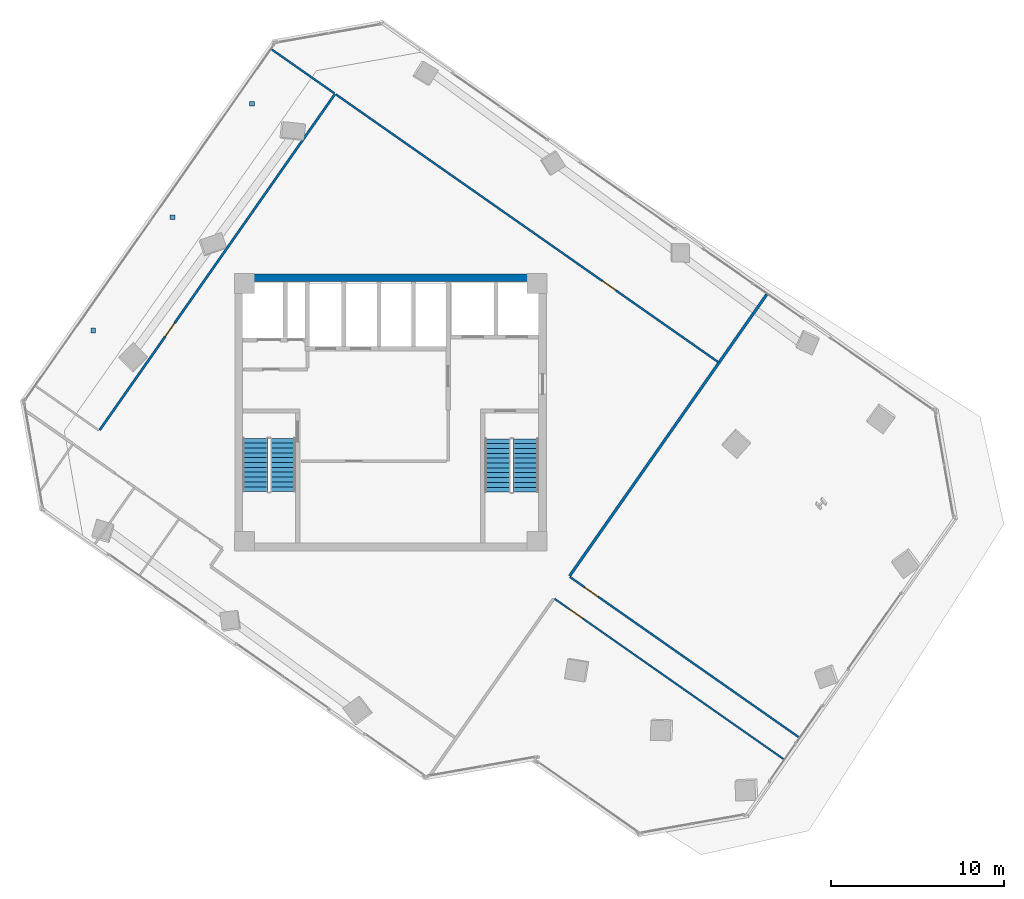
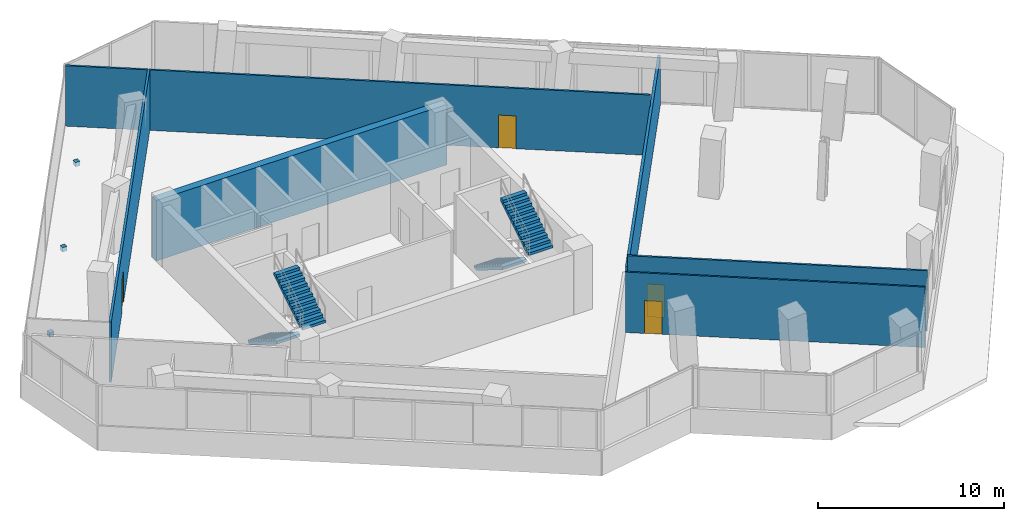
# One storey, part 19 of 22: 7 walls, 4 doors, 4 stair flights, 3 discrete accessories, 4 openings, 2 elements without a shape of their own.
"""IFC4 building model written with IfcOpenShell, lengths in metres."""

from ifc_helpers import new_model, si_unit, direction, frame, frame_2d, origin, origin_2d, place, context, subcontext, project, spatial, polyline, rectangle, outline, extrude, source, transform, mapped, material, layer, layer_set, type_object, element, fill, aggregate, save


model = new_model("IFC4")

# Units and contexts
model_context = context("Model", 3, precision=1e-05, world=origin(), true_north=direction((0.0, 1.0)))
body_context = subcontext(model_context, "Body", "Model", "MODEL_VIEW")
ifc_project = project(units=[si_unit("LENGTHUNIT", "METRE"), si_unit("AREAUNIT", "SQUARE_METRE"), si_unit("VOLUMEUNIT", "CUBIC_METRE"), si_unit("PLANEANGLEUNIT", "RADIAN"), si_unit("MASSUNIT", "GRAM", prefix="KILO")], contexts=[model_context])

# Site, building, storey
site_placement = place(None, origin())
site = spatial("IfcSite", under=ifc_project, at=site_placement, CompositionType="ELEMENT")
building_placement = place(site_placement, origin())
building = spatial("IfcBuilding", under=site, at=building_placement, Name="Torre Montelarca", CompositionType="ELEMENT")
storey_placement = place(building_placement, frame((0.0, 0.0, 196.0)))
storey = spatial("IfcBuildingStorey", under=building, at=storey_placement, Name="L44", CompositionType="ELEMENT", Elevation=196.0)

# Walls
ifc_material_1 = material(Name="Concrete C55/67", Category="concrete")
ifc_layer_1 = layer(ifc_material_1, 0.449951171875, Name="Concrete C55/67", Category="concrete")
ifc_layer_set_1 = layer_set([ifc_layer_1], Name="Concrete C55/67")
wall_type_1 = type_object("IfcWallType", Name="CW-SHEAR-450", PredefinedType="SHEAR", material=ifc_layer_set_1)
wall_1_placement = place(storey_placement, frame((9.0, 39.77490234375, 0.0), z_axis=(0.0, 0.0, 1.0), x_axis=(1.0, 0.0, 0.0)))
element("IfcWall", 1, at=wall_1_placement, inside=storey, type_object=wall_type_1, Name="L44 Core Shear Wall CW-N1", PredefinedType="SHEAR", context=body_context, shape_type="SweptSolid", body=[
    extrude(rectangle(XDim=18.0, YDim=0.449951171875, at=frame_2d((9.0, 0.0))), origin(), (0.0, 0.0, 1.0), 3.9599609375),
])
ifc_material_2 = material(Name="Gypsum plasterboard on steel stud", Category="steel")
ifc_layer_2 = layer(ifc_material_2, 0.159912109375, Name="Gypsum plasterboard on steel stud", Category="steel")
ifc_layer_set_2 = layer_set([ifc_layer_2], Name="Gypsum plasterboard on steel stud")
wall_type_2 = type_object("IfcWallType", Name="PW-FIRE-160", PredefinedType="PARTITIONING", material=ifc_layer_set_2)
wall_2_placement = place(storey_placement, frame((28.3359375, 22.550048828125, 0.0), z_axis=(0.0, 0.0, 1.0), x_axis=(0.573581263398, 0.819148664333, 0.0)))
element("IfcWall", 2, at=wall_2_placement, inside=storey, type_object=wall_type_2, Name="L44 Interior Partition W-L44-ECN", PredefinedType="PARTITIONING", context=body_context, shape_type="SweptSolid", body=[
    extrude(rectangle(XDim=19.840087890625, YDim=0.159912109375, at=frame_2d((9.919921875, 0.0))), origin(), (0.0, 0.0, 1.0), 3.195068359375),
])

# Wall, opening, door
ifc_material_3 = material(Name="Acoustic laminated glass partition", Category="glass")
ifc_layer_3 = layer(ifc_material_3, 0.10009765625, Name="Acoustic laminated glass partition", Category="glass")
ifc_layer_set_3 = layer_set([ifc_layer_3], Name="Acoustic laminated glass partition")
wall_type_3 = type_object("IfcWallType", Name="PW-GLAZ-100", PredefinedType="PARTITIONING", material=ifc_layer_set_3)
wall_3_placement = place(storey_placement, frame((27.46240234375, 21.23291015625, 0.0), z_axis=(0.0, 0.0, 1.0), x_axis=(0.819151710168, -0.573576913525, 0.0)))
wall_3 = element("IfcWall", 3, at=wall_3_placement, inside=storey, type_object=wall_type_3, Name="L44 Interior Partition W-L44-SE-N", PredefinedType="PARTITIONING", context=body_context, shape_type="SweptSolid", body=[
    extrude(rectangle(XDim=16.16015625, YDim=0.10009765625, at=frame_2d((8.080078125, 0.0))), origin(), (0.0, 0.0, 1.0), 3.9599609375),
])
opening_1_placement = place(wall_3_placement, frame((1.050048828125, 0.0, 0.0)))
opening_1 = element("IfcOpeningElement", 4, at=opening_1_placement, cuts=wall_3, Name="Opening ID-095", PredefinedType="OPENING", context=body_context, shape_type="SweptSolid", body=[
    extrude(rectangle(XDim=0.949951171875, YDim=2.14990234375, at=frame_2d((0.47509765625, 1.074951171875))), frame((0.0, 0.06005859375, 0.0), z_axis=(0.0, -1.0, 0.0), x_axis=(1.0, 0.0, 0.0)), (0.0, 0.0, 1.0), 0.1201171875),
])
ifc_material_4 = material(Name="Hardwood acoustic timber veneer", Category="wood")
door_type = type_object("IfcDoorType", Name="DR-INT-095", OperationType="NOTDEFINED", PredefinedType="DOOR", material=ifc_material_4)
shared_shape_1 = source(origin(), body_context, "Body", "SweptSolid", [
    extrude(rectangle(XDim=0.949951171875, YDim=2.14990234375, at=frame_2d((0.47509765625, 1.074951171875))), frame((0.0, 0.02490234375, 0.0), z_axis=(0.0, -1.0, 0.0), x_axis=(1.0, 0.0, 0.0)), (0.0, 0.0, 1.0), 0.050048828125),
])
door_1_placement = place(opening_1_placement, origin())
door_1 = element("IfcDoor", 5, at=door_1_placement, inside=storey, type_object=door_type, Name="L44 Interior Door 09", OperationType="SINGLE_SWING_LEFT", OverallHeight=2.14990234375, OverallWidth=0.949951171875, PredefinedType="DOOR", context=body_context, shape_type="MappedRepresentation", body=[
    mapped(shared_shape_1, transform((0.0, 0.0, 0.0), scale=1.0)),
])
fill(opening_1, door_1)

ifc_layer_4 = layer(ifc_material_2, 0.114990234375, Name="Gypsum plasterboard on steel stud", Category="steel")
ifc_layer_set_4 = layer_set([ifc_layer_4], Name="Gypsum plasterboard on steel stud")
wall_type_4 = type_object("IfcWallType", Name="PW-PART-115", PredefinedType="PARTITIONING", material=ifc_layer_set_4)
wall_4_placement = place(storey_placement, frame((14.82080078125, 50.373779296875, 0.0), z_axis=(0.0, 0.0, 1.0), x_axis=(0.819153719849, -0.573574043396, 0.0)))
wall_4 = element("IfcWall", 6, at=wall_4_placement, inside=storey, type_object=wall_type_4, Name="L44 Interior Partition W-L44-NBOT", PredefinedType="PARTITIONING", context=body_context, shape_type="SweptSolid", body=[
    extrude(rectangle(XDim=26.989990234375, YDim=0.114990234375, at=frame_2d((13.4951171875, 0.0))), origin(), (0.0, 0.0, 1.0), 3.9599609375),
])
opening_2_placement = place(wall_4_placement, frame((18.800048828125, 0.0, 0.0)))
opening_2 = element("IfcOpeningElement", 7, at=opening_2_placement, cuts=wall_4, Name="Opening ID-095", PredefinedType="OPENING", context=body_context, shape_type="SweptSolid", body=[
    extrude(rectangle(XDim=0.949951171875, YDim=2.14990234375, at=frame_2d((0.47509765625, 1.074951171875))), frame((0.0, 0.0673828125, 0.0), z_axis=(0.0, -1.0, 0.0), x_axis=(1.0, 0.0, 0.0)), (0.0, 0.0, 1.0), 0.135009765625),
])
door_2_placement = place(opening_2_placement, origin())
door_2 = element("IfcDoor", 8, at=door_2_placement, inside=storey, type_object=door_type, Name="L44 Interior Door 06", OperationType="SINGLE_SWING_LEFT", OverallHeight=2.14990234375, OverallWidth=0.949951171875, PredefinedType="DOOR", context=body_context, shape_type="MappedRepresentation", body=[
    mapped(shared_shape_1, transform((0.0, 0.0, 0.0), scale=1.0)),
])
fill(opening_2, door_2)

# Wall
wall_5_placement = place(storey_placement, frame((11.126708984375, 52.960693359375, 0.0), z_axis=(0.0, 0.0, 1.0), x_axis=(0.819130930641, -0.573606588584, 0.0)))
element("IfcWall", 9, at=wall_5_placement, inside=storey, type_object=wall_type_4, Name="L44 Interior Partition W-L44-WWGN", PredefinedType="PARTITIONING", context=body_context, shape_type="SweptSolid", body=[
    extrude(rectangle(XDim=4.429931640625, YDim=0.114990234375, at=frame_2d((2.21484375, 0.0))), origin(), (0.0, 0.0, 1.0), 3.9599609375),
])

# Wall, opening, door
wall_6_placement = place(storey_placement, frame((28.345947265625, 22.494384765625, 0.0), z_axis=(0.0, 0.0, 1.0), x_axis=(0.819146739804, -0.573584011866, 0.0)))
wall_6 = element("IfcWall", 10, at=wall_6_placement, inside=storey, type_object=wall_type_4, Name="L44 Interior Partition W-L44-NE-S", PredefinedType="PARTITIONING", context=body_context, shape_type="SweptSolid", body=[
    extrude(rectangle(XDim=16.159912109375, YDim=0.114990234375, at=frame_2d((8.080078125, 0.0))), origin(), (0.0, 0.0, 1.0), 3.9599609375),
])
opening_3_placement = place(wall_6_placement, frame((1.050048828125, 0.0, 0.0)))
opening_3 = element("IfcOpeningElement", 11, at=opening_3_placement, cuts=wall_6, Name="Opening ID-095", PredefinedType="OPENING", context=body_context, shape_type="SweptSolid", body=[
    extrude(rectangle(XDim=0.949951171875, YDim=2.14990234375, at=frame_2d((0.47509765625, 1.074951171875))), frame((0.0, 0.0673828125, 0.0), z_axis=(0.0, -1.0, 0.0), x_axis=(1.0, 0.0, 0.0)), (0.0, 0.0, 1.0), 0.135009765625),
])
door_3_placement = place(opening_3_placement, origin())
door_3 = element("IfcDoor", 12, at=door_3_placement, inside=storey, type_object=door_type, Name="L44 Interior Door 08", OperationType="SINGLE_SWING_LEFT", OverallHeight=2.14990234375, OverallWidth=0.949951171875, PredefinedType="DOOR", context=body_context, shape_type="MappedRepresentation", body=[
    mapped(shared_shape_1, transform((0.0, 0.0, 0.0), scale=1.0)),
])
fill(opening_3, door_3)

ifc_layer_5 = layer(ifc_material_2, 0.135009765625, Name="Gypsum plasterboard on steel stud", Category="steel")
ifc_layer_set_5 = layer_set([ifc_layer_5], Name="Gypsum plasterboard on steel stud")
wall_type_5 = type_object("IfcWallType", Name="PW-PART-135", PredefinedType="PARTITIONING", material=ifc_layer_set_5)
wall_7_placement = place(storey_placement, frame((1.188720703125, 30.974609375, 0.0), z_axis=(0.0, 0.0, 1.0), x_axis=(0.573571020786, 0.819155836282, 0.0)))
wall_7 = element("IfcWall", 13, at=wall_7_placement, inside=storey, type_object=wall_type_5, Name="L44 Interior Partition W-L44-WWGE", PredefinedType="PARTITIONING", context=body_context, shape_type="SweptSolid", body=[
    extrude(rectangle(XDim=23.669921875, YDim=0.135009765625, at=frame_2d((11.8349609375, 0.0))), origin(), (0.0, 0.0, 1.0), 3.9599609375),
])
opening_4_placement = place(wall_7_placement, frame((6.60009765625, 0.0, 0.0)))
opening_4 = element("IfcOpeningElement", 14, at=opening_4_placement, cuts=wall_7, Name="Opening ID-095", PredefinedType="OPENING", context=body_context, shape_type="SweptSolid", body=[
    extrude(rectangle(XDim=0.949951171875, YDim=2.14990234375, at=frame_2d((0.47509765625, 1.074951171875))), frame((0.0, 0.07763671875, 0.0), z_axis=(0.0, -1.0, 0.0), x_axis=(1.0, 0.0, 0.0)), (0.0, 0.0, 1.0), 0.155029296875),
])
door_4_placement = place(opening_4_placement, origin())
door_4 = element("IfcDoor", 15, at=door_4_placement, inside=storey, type_object=door_type, Name="L44 Interior Door 07", OperationType="SINGLE_SWING_LEFT", OverallHeight=2.14990234375, OverallWidth=0.949951171875, PredefinedType="DOOR", context=body_context, shape_type="MappedRepresentation", body=[
    mapped(shared_shape_1, transform((0.0, 0.0, 0.0), scale=1.0)),
])
fill(opening_4, door_4)

# Stair, stair flights
ifc_material_5 = material(Name="Concrete C40/50", Category="concrete")
stair_type_1 = type_object("IfcStairType", Name="ST-CORE-ST1", PredefinedType="HALF_TURN_STAIR", material=ifc_material_5)
stair_1_placement = place(storey_placement, origin())
stair_1 = element("IfcStair", 16, at=stair_1_placement, inside=storey, type_object=stair_type_1, Name="L44 Protected Exit Stair ST1", PredefinedType="HALF_TURN_STAIR")
stair_flight_type_1 = type_object("IfcStairFlightType", Name="SFL-CORE-ST1", PredefinedType="STRAIGHT", material=ifc_material_5)
stair_flight_1_placement = place(storey_placement, frame((10.175048828125, 30.5, 0.0), z_axis=(0.0, 0.0, 1.0), x_axis=(0.0, -1.0, 0.0)))
stair_flight_1 = element("IfcStairFlight", 17, at=stair_flight_1_placement, type_object=stair_flight_type_1, Name="ST1 flight 1", NumberOfRisers=12, NumberOfTreads=11, PredefinedType="STRAIGHT", RiserHeight=0.175, TreadLength=0.28, context=body_context, shape_type="SweptSolid", body=[
    extrude(outline(polyline([(0.0, 0.0), (0.0, 0.175048828125), (0.280029296875, 0.175048828125), (0.280029296875, 0.35009765625), (0.56005859375, 0.35009765625), (0.56005859375, 0.52490234375), (0.840087890625, 0.52490234375), (0.840087890625, 0.699951171875), (1.1201171875, 0.699951171875), (1.1201171875, 0.875), (1.39990234375, 0.875), (1.39990234375, 1.050048828125), (1.679931640625, 1.050048828125), (1.679931640625, 1.22509765625), (1.9599609375, 1.22509765625), (1.9599609375, 1.39990234375), (2.239990234375, 1.39990234375), (2.239990234375, 1.574951171875), (2.52001953125, 1.574951171875), (2.52001953125, 1.75), (2.800048828125, 1.75), (2.800048828125, 1.925048828125), (3.080078125, 1.925048828125), (3.080078125, 2.10009765625), (3.080078125, 1.748291015625), (0.28271484375, 0.0), (0.0, 0.0)])), frame((0.0, 0.72509765625, 0.0), z_axis=(0.0, -1.0, 0.0), x_axis=(1.0, 0.0, 0.0)), (0.0, 0.0, 1.0), 1.449951171875),
])
stair_flight_2_placement = place(storey_placement, frame((11.77490234375, 27.419921875, 2.10009765625), z_axis=(0.0, 0.0, 1.0), x_axis=(0.0, 1.0, 0.0)))
stair_flight_2 = element("IfcStairFlight", 18, at=stair_flight_2_placement, type_object=stair_flight_type_1, Name="ST1 flight 2", NumberOfRisers=12, NumberOfTreads=11, PredefinedType="STRAIGHT", RiserHeight=0.175, TreadLength=0.28, context=body_context, shape_type="SweptSolid", body=[
    extrude(outline(polyline([(0.0, 0.0), (0.0, 0.175048828125), (0.280029296875, 0.175048828125), (0.280029296875, 0.35009765625), (0.56005859375, 0.35009765625), (0.56005859375, 0.52490234375), (0.840087890625, 0.52490234375), (0.840087890625, 0.699951171875), (1.1201171875, 0.699951171875), (1.1201171875, 0.875), (1.39990234375, 0.875), (1.39990234375, 1.050048828125), (1.679931640625, 1.050048828125), (1.679931640625, 1.22509765625), (1.9599609375, 1.22509765625), (1.9599609375, 1.39990234375), (2.239990234375, 1.39990234375), (2.239990234375, 1.574951171875), (2.52001953125, 1.574951171875), (2.52001953125, 1.75), (2.800048828125, 1.75), (2.800048828125, 1.925048828125), (3.080078125, 1.925048828125), (3.080078125, 2.10009765625), (3.080078125, 1.748291015625), (0.28271484375, 0.0), (0.0, 0.0)])), frame((0.0, 0.72509765625, 0.0), z_axis=(0.0, -1.0, 0.0), x_axis=(1.0, 0.0, 0.0)), (0.0, 0.0, 1.0), 1.449951171875),
])
aggregate(stair_1, [stair_flight_1, stair_flight_2])

stair_type_2 = type_object("IfcStairType", Name="ST-CORE-ST2", PredefinedType="HALF_TURN_STAIR", material=ifc_material_5)
stair_2_placement = place(storey_placement, origin())
stair_2 = element("IfcStair", 19, at=stair_2_placement, inside=storey, type_object=stair_type_2, Name="L44 Protected Exit Stair ST2", PredefinedType="HALF_TURN_STAIR")
stair_flight_type_2 = type_object("IfcStairFlightType", Name="SFL-CORE-ST2", PredefinedType="STRAIGHT", material=ifc_material_5)
stair_flight_3_placement = place(storey_placement, frame((24.179931640625, 30.469970703125, 0.0), z_axis=(0.0, 0.0, 1.0), x_axis=(0.0, -1.0, 0.0)))
stair_flight_3 = element("IfcStairFlight", 20, at=stair_flight_3_placement, type_object=stair_flight_type_2, Name="ST2 flight 1", NumberOfRisers=12, NumberOfTreads=11, PredefinedType="STRAIGHT", RiserHeight=0.175, TreadLength=0.28, context=body_context, shape_type="SweptSolid", body=[
    extrude(outline(polyline([(0.0, 0.0), (0.0, 0.175048828125), (0.280029296875, 0.175048828125), (0.280029296875, 0.35009765625), (0.56005859375, 0.35009765625), (0.56005859375, 0.52490234375), (0.840087890625, 0.52490234375), (0.840087890625, 0.699951171875), (1.1201171875, 0.699951171875), (1.1201171875, 0.875), (1.39990234375, 0.875), (1.39990234375, 1.050048828125), (1.679931640625, 1.050048828125), (1.679931640625, 1.22509765625), (1.9599609375, 1.22509765625), (1.9599609375, 1.39990234375), (2.239990234375, 1.39990234375), (2.239990234375, 1.574951171875), (2.52001953125, 1.574951171875), (2.52001953125, 1.75), (2.800048828125, 1.75), (2.800048828125, 1.925048828125), (3.080078125, 1.925048828125), (3.080078125, 2.10009765625), (3.080078125, 1.748291015625), (0.28271484375, 0.0), (0.0, 0.0)])), frame((0.0, 0.739990234375, 0.0), z_axis=(0.0, -1.0, 0.0), x_axis=(1.0, 0.0, 0.0)), (0.0, 0.0, 1.0), 1.47998046875),
])
stair_flight_4_placement = place(storey_placement, frame((25.81005859375, 27.389892578125, 2.10009765625), z_axis=(0.0, 0.0, 1.0), x_axis=(0.0, 1.0, 0.0)))
stair_flight_4 = element("IfcStairFlight", 21, at=stair_flight_4_placement, type_object=stair_flight_type_2, Name="ST2 flight 2", NumberOfRisers=12, NumberOfTreads=11, PredefinedType="STRAIGHT", RiserHeight=0.175, TreadLength=0.28, context=body_context, shape_type="SweptSolid", body=[
    extrude(outline(polyline([(0.0, 0.0), (0.0, 0.175048828125), (0.280029296875, 0.175048828125), (0.280029296875, 0.35009765625), (0.56005859375, 0.35009765625), (0.56005859375, 0.52490234375), (0.840087890625, 0.52490234375), (0.840087890625, 0.699951171875), (1.1201171875, 0.699951171875), (1.1201171875, 0.875), (1.39990234375, 0.875), (1.39990234375, 1.050048828125), (1.679931640625, 1.050048828125), (1.679931640625, 1.22509765625), (1.9599609375, 1.22509765625), (1.9599609375, 1.39990234375), (2.239990234375, 1.39990234375), (2.239990234375, 1.574951171875), (2.52001953125, 1.574951171875), (2.52001953125, 1.75), (2.800048828125, 1.75), (2.800048828125, 1.925048828125), (3.080078125, 1.925048828125), (3.080078125, 2.10009765625), (3.080078125, 1.748291015625), (0.28271484375, 0.0), (0.0, 0.0)])), frame((0.0, 0.739990234375, 0.0), z_axis=(0.0, -1.0, 0.0), x_axis=(1.0, 0.0, 0.0)), (0.0, 0.0, 1.0), 1.47998046875),
])
aggregate(stair_2, [stair_flight_3, stair_flight_4])

# Discrete accessories
ifc_material_6 = material(Name="Stainless steel AISI 316", Category="steel")
discrete_accessory_type = type_object("IfcDiscreteAccessoryType", Name="ACC-BRACKET-SS", PredefinedType="BRACKET", material=ifc_material_6)
shared_shape_2 = source(origin(), body_context, "Body", "SweptSolid", [
    extrude(rectangle(XDim=0.280029296875, YDim=0.280029296875, at=origin_2d()), origin(), (0.0, 0.0, 1.0), 0.280029296875),
])
for number, where, z_axis, x_axis, name in (
    (22, (0.815185546875, 36.717529296875, -0.27978515625), (0.0, 0.0, 1.0), (1.0, 0.0, 0.0), "L44 Raker End Connection Bracket W1-HD"),
    (23, (5.40380859375, 43.270751953125, -0.27978515625), (0.0, 0.0, 1.0), (1.0, 0.0, 0.0), "L44 Raker End Connection Bracket W2-HD"),
    (24, (9.9921875, 49.823974609375, -0.27978515625), (0.0, 0.0, 1.0), (1.0, 0.0, 0.0), "L44 Raker End Connection Bracket W3-HD"),
):
    element("IfcDiscreteAccessory", number, at=place(storey_placement, frame(where, z_axis=z_axis, x_axis=x_axis)), inside=storey, type_object=discrete_accessory_type, Name=name, PredefinedType="BRACKET", context=body_context, shape_type="MappedRepresentation", body=[
        mapped(shared_shape_2, transform((0.0, 0.0, 0.0), scale=1.0)),
    ])

save(model, "model.ifc")
